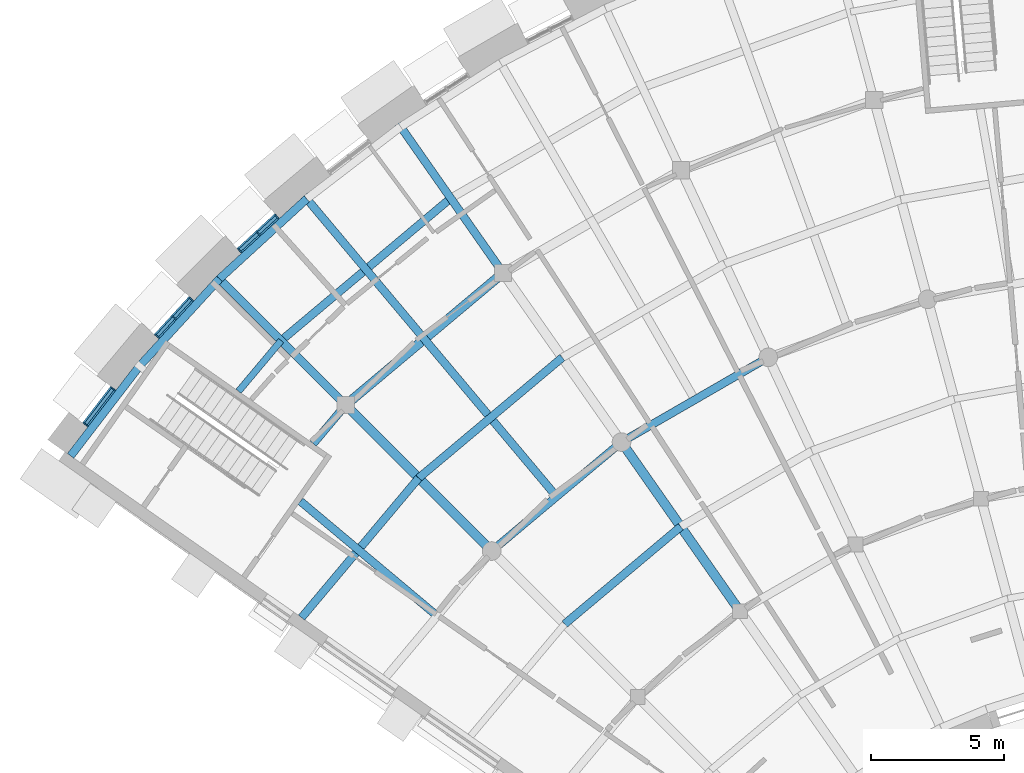
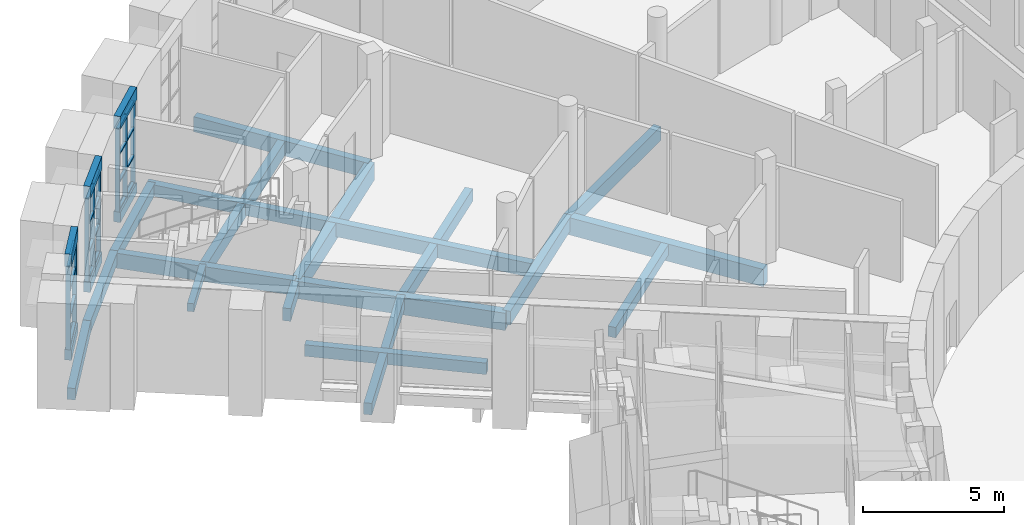
# One storey, part 18 of 66: 28 members, 25 beams, 3 elements without a shape of their own.
"""IFC4 building model written with IfcOpenShell, lengths in metres."""

from ifc_helpers import new_model, si_unit, direction, frame, origin, origin_2d, place, context, subcontext, project, spatial, rectangle, extrude, material, layer, layer_set, material_profile, profile_set, type_object, element, aggregate, save


model = new_model("IFC4")

# Units and contexts
model_context = context("Model", 3, precision=1e-05, world=origin(), true_north=direction((0.0, 1.0)))
body_context = subcontext(model_context, "Body", "Model", "MODEL_VIEW")
ifc_project = project(units=[si_unit("LENGTHUNIT", "METRE"), si_unit("AREAUNIT", "SQUARE_METRE"), si_unit("VOLUMEUNIT", "CUBIC_METRE"), si_unit("PLANEANGLEUNIT", "RADIAN"), si_unit("MASSUNIT", "GRAM", prefix="KILO")], contexts=[model_context])

# Site, building, storey
site_placement = place(None, origin())
site = spatial("IfcSite", under=ifc_project, at=site_placement, CompositionType="ELEMENT")
building_placement = place(site_placement, origin())
building = spatial("IfcBuilding", under=site, at=building_placement, Name="Volute Hill Aquarium", CompositionType="ELEMENT")
storey_placement = place(building_placement, frame((0.0, 0.0, 4.60009765625)))
storey = spatial("IfcBuildingStorey", under=building, at=storey_placement, Name="L02", CompositionType="ELEMENT", Elevation=4.60009765625)

# Beams
ifc_material_1 = material(Name="Concrete C35/45", Category="concrete")
ifc_material_profile_1 = material_profile(ifc_material_1, rectangle(XDim=0.300048828125, YDim=0.550048828125, at=origin_2d()), Name="RC beam 300x550")
ifc_profile_set_1 = profile_set([ifc_material_profile_1], Name="Concrete C35/45")
beam_type_1 = type_object("IfcBeamType", Name="Beam 300x550 C35/45", PredefinedType="BEAM", material=ifc_profile_set_1)
beam_1_placement = place(storey_placement, frame((-31.28955078125, 31.28955078125, -0.59521484375), z_axis=(-0.642771154276, -0.766058250547, 0.0), x_axis=(0.766058250547, -0.642771154276, 0.0)))
element("IfcBeam", 1, at=beam_1_placement, inside=storey, type_object=beam_type_1, Name="bm/S6/L02/ring3.31", PredefinedType="BEAM", context=body_context, shape_type="SweptSolid", body=[
    extrude(rectangle(XDim=0.300048828125, YDim=0.550048828125, at=origin_2d()), origin(), (0.0, 0.0, 1.0), 1.89111328125),
])
ifc_material_2 = material(Name="Concrete C35/45", Category="concrete")
ifc_material_profile_2 = material_profile(ifc_material_2, rectangle(XDim=0.300048828125, YDim=0.60009765625, at=origin_2d()), Name="RC beam 300x600")
ifc_profile_set_2 = profile_set([ifc_material_profile_2], Name="Concrete C35/45")
beam_type_2 = type_object("IfcBeamType", Name="Beam 300x600 C35/45", PredefinedType="BEAM", material=ifc_profile_set_2)
for number, where, z_axis, x_axis, name in (
    (2, (-15.425537109375, 33.080078125, -0.6201171875), (-0.866029029746, -0.499993719597, 0.0), (0.499993719597, -0.866029029746, 0.0), "bm/S6/L02/ring2.24"),
    (3, (-20.935546875, 29.89892578125, -0.6201171875), (-0.766043421596, -0.642788827088, 0.0), (0.642788827088, -0.766043421596, 0.0), "bm/S6/L02/ring2.25"),
):
    element("IfcBeam", number, at=place(storey_placement, frame(where, z_axis=z_axis, x_axis=x_axis)), inside=storey, type_object=beam_type_2, Name=name, PredefinedType="BEAM", context=body_context, shape_type="SweptSolid", body=[
        extrude(rectangle(XDim=0.300048828125, YDim=0.60009765625, at=origin_2d()), origin(), (0.0, 0.0, 1.0), 6.3623046875),
    ])
ifc_material_3 = material(Name="Concrete C35/45", Category="concrete")
ifc_material_profile_3 = material_profile(ifc_material_3, rectangle(XDim=0.300048828125, YDim=0.64990234375, at=origin_2d()), Name="RC beam 300x650")
ifc_profile_set_3 = profile_set([ifc_material_profile_3], Name="Concrete C35/45")
beam_type_3 = type_object("IfcBeamType", Name="Beam 300x650 C35/45", PredefinedType="BEAM", material=ifc_profile_set_3)
beam_2_placement = place(storey_placement, frame((-25.380859375, 36.24755859375, -0.64501953125), z_axis=(-0.573579548978, 0.819149864796, 0.0), x_axis=(-0.819149864796, -0.573579548978, 0.0)))
element("IfcBeam", 4, at=beam_2_placement, inside=storey, type_object=beam_type_3, Name="bm/S6/L02/rad3.12", PredefinedType="BEAM", context=body_context, shape_type="SweptSolid", body=[
    extrude(rectangle(XDim=0.300048828125, YDim=0.64990234375, at=origin_2d()), origin(), (0.0, 0.0, 1.0), 6.849853515625),
])
beam_3_placement = place(storey_placement, frame((-31.28955078125, 31.28955078125, -0.64501953125), z_axis=(-0.707106781187, 0.707106781187, 0.0), x_axis=(-0.707106781187, -0.707106781187, 0.0)))
element("IfcBeam", 5, at=beam_3_placement, inside=storey, type_object=beam_type_3, Name="bm/S6/L02/rad4.16", PredefinedType="BEAM", context=body_context, shape_type="SweptSolid", body=[
    extrude(rectangle(XDim=0.300048828125, YDim=0.64990234375, at=origin_2d()), origin(), (0.0, 0.0, 1.0), 6.85009765625),
])
ifc_material_4 = material(Name="Concrete C35/45", Category="concrete")
ifc_material_profile_4 = material_profile(ifc_material_4, rectangle(XDim=0.35009765625, YDim=0.75, at=origin_2d()), Name="RC beam 350x750")
ifc_profile_set_4 = profile_set([ifc_material_profile_4], Name="Concrete C35/45")
beam_type_4 = type_object("IfcBeamType", Name="Beam 350x750 C35/45", PredefinedType="BEAM", material=ifc_profile_set_4)
beam_4_placement = place(storey_placement, frame((-16.490234375, 23.550537109375, -0.695068359375), z_axis=(-0.573587076888, 0.819144593602, 0.0), x_axis=(-0.819144593602, -0.573587076888, 0.0)))
element("IfcBeam", 6, at=beam_4_placement, inside=storey, type_object=beam_type_4, Name="bm/S6/L02/rad3.10", PredefinedType="BEAM", context=body_context, shape_type="SweptSolid", body=[
    extrude(rectangle(XDim=0.35009765625, YDim=0.75, at=origin_2d()), origin(), (0.0, 0.0, 1.0), 7.75),
])
beam_5_placement = place(storey_placement, frame((-25.809326171875, 25.809326171875, -0.695068359375), z_axis=(-0.707106781187, 0.707106781187, 0.0), x_axis=(-0.707106781187, -0.707106781187, 0.0)))
element("IfcBeam", 7, at=beam_5_placement, inside=storey, type_object=beam_type_4, Name="bm/S6/L02/rad4.15", PredefinedType="BEAM", context=body_context, shape_type="SweptSolid", body=[
    extrude(rectangle(XDim=0.35009765625, YDim=0.75, at=origin_2d()), origin(), (0.0, 0.0, 1.0), 7.750244140625),
])
beam_6_placement = place(storey_placement, frame((-25.380859375, 36.24755859375, -0.695068359375), z_axis=(-0.766042717383, -0.642789666334, 0.0), x_axis=(0.642789666334, -0.766042717383, 0.0)))
element("IfcBeam", 8, at=beam_6_placement, inside=storey, type_object=beam_type_4, Name="bm/S6/L02/ring3.30", PredefinedType="BEAM", context=body_context, shape_type="SweptSolid", body=[
    extrude(rectangle(XDim=0.35009765625, YDim=0.75, at=origin_2d()), origin(), (0.0, 0.0, 1.0), 7.71337890625),
])

# Curtain wall, members
ifc_material_5 = material(Name="Aluminium", Category="aluminium")
ifc_layer_1 = layer(ifc_material_5, 0.25)
ifc_layer_set_1 = layer_set([ifc_layer_1], Name="Curtain wall niche S6 module 967")
curtain_wall_type_1 = type_object("IfcCurtainWallType", Name="Curtain wall niche S6 module 967", PredefinedType="NOTDEFINED", material=ifc_layer_set_1)
curtain_wall_1_placement = place(storey_placement, origin())
curtain_wall_1 = element("IfcCurtainWall", 9, at=curtain_wall_1_placement, inside=storey, type_object=curtain_wall_type_1, Name="Curtain wall CW S6 L02 8", PredefinedType="NOTDEFINED")
ifc_material_6 = material(Name="Aluminium", Category="aluminium")
ifc_material_profile_5 = material_profile(ifc_material_6, rectangle(XDim=0.169921875, YDim=0.050048828125, at=origin_2d()), Name="Curtain wall mullion S6 50x170")
ifc_profile_set_5 = profile_set([ifc_material_profile_5], Name="Aluminium")
member_type_1 = type_object("IfcMemberType", Name="Curtain wall mullion S6 50x170", PredefinedType="MULLION", material=ifc_profile_set_5)
member_1_placement = place(storey_placement, frame((-33.879638671875, 38.3671875, 0.449951171875), z_axis=(0.0, 0.0, 1.0), x_axis=(0.675582007635, -0.737284850624, 0.0)))
member_1 = element("IfcMember", 10, at=member_1_placement, type_object=member_type_1, Name="CW mullion 1", PredefinedType="MULLION", context=body_context, shape_type="SweptSolid", body=[
    extrude(rectangle(XDim=0.169921875, YDim=0.050048828125, at=origin_2d()), origin(), (0.0, 0.0, 1.0), 3.599853515625),
])
member_2_placement = place(storey_placement, frame((-34.573974609375, 37.73095703125, 0.449951171875), z_axis=(0.0, 0.0, 1.0), x_axis=(0.675582007635, -0.737284850624, 0.0)))
member_2 = element("IfcMember", 11, at=member_2_placement, type_object=member_type_1, Name="CW mullion 2", PredefinedType="MULLION", context=body_context, shape_type="SweptSolid", body=[
    extrude(rectangle(XDim=0.169921875, YDim=0.050048828125, at=origin_2d()), origin(), (0.0, 0.0, 1.0), 3.599853515625),
])
member_3_placement = place(storey_placement, frame((-35.268310546875, 37.094482421875, 0.449951171875), z_axis=(0.0, 0.0, 1.0), x_axis=(0.675582007635, -0.737284850624, 0.0)))
member_3 = element("IfcMember", 12, at=member_3_placement, type_object=member_type_1, Name="CW mullion 3", PredefinedType="MULLION", context=body_context, shape_type="SweptSolid", body=[
    extrude(rectangle(XDim=0.169921875, YDim=0.050048828125, at=origin_2d()), origin(), (0.0, 0.0, 1.0), 3.599853515625),
])

curtain_wall_2_placement = place(storey_placement, origin())
curtain_wall_2 = element("IfcCurtainWall", 13, at=curtain_wall_2_placement, inside=storey, type_object=curtain_wall_type_1, Name="Curtain wall CW S6 L02 9", PredefinedType="NOTDEFINED")
member_4_placement = place(storey_placement, frame((-37.094482421875, 35.268310546875, 0.449951171875), z_axis=(0.0, 0.0, 1.0), x_axis=(0.737284850624, -0.675582007635, 0.0)))
member_4 = element("IfcMember", 14, at=member_4_placement, type_object=member_type_1, Name="CW mullion 1", PredefinedType="MULLION", context=body_context, shape_type="SweptSolid", body=[
    extrude(rectangle(XDim=0.169921875, YDim=0.050048828125, at=origin_2d()), origin(), (0.0, 0.0, 1.0), 3.599853515625),
])
member_5_placement = place(storey_placement, frame((-37.73095703125, 34.573974609375, 0.449951171875), z_axis=(0.0, 0.0, 1.0), x_axis=(0.737284850624, -0.675582007635, 0.0)))
member_5 = element("IfcMember", 15, at=member_5_placement, type_object=member_type_1, Name="CW mullion 2", PredefinedType="MULLION", context=body_context, shape_type="SweptSolid", body=[
    extrude(rectangle(XDim=0.169921875, YDim=0.050048828125, at=origin_2d()), origin(), (0.0, 0.0, 1.0), 3.599853515625),
])
member_6_placement = place(storey_placement, frame((-38.3671875, 33.879638671875, 0.449951171875), z_axis=(0.0, 0.0, 1.0), x_axis=(0.737284850624, -0.675582007635, 0.0)))
member_6 = element("IfcMember", 16, at=member_6_placement, type_object=member_type_1, Name="CW mullion 3", PredefinedType="MULLION", context=body_context, shape_type="SweptSolid", body=[
    extrude(rectangle(XDim=0.169921875, YDim=0.050048828125, at=origin_2d()), origin(), (0.0, 0.0, 1.0), 3.599853515625),
])

ifc_material_7 = material(Name="Aluminium", Category="aluminium")
ifc_layer_2 = layer(ifc_material_7, 0.25)
ifc_layer_set_2 = layer_set([ifc_layer_2], Name="Curtain wall niche S6 module 1734")
curtain_wall_type_2 = type_object("IfcCurtainWallType", Name="Curtain wall niche S6 module 1734", PredefinedType="NOTDEFINED", material=ifc_layer_set_2)
curtain_wall_3_placement = place(storey_placement, origin())
curtain_wall_3 = element("IfcCurtainWall", 17, at=curtain_wall_3_placement, inside=storey, type_object=curtain_wall_type_2, Name="Curtain wall CW S6 L02 10", PredefinedType="NOTDEFINED")
member_7_placement = place(storey_placement, frame((-40.02734375, 31.901123046875, 0.449951171875), z_axis=(0.0, 0.0, 1.0), x_axis=(0.79334910739, -0.608766945394, 0.0)))
member_7 = element("IfcMember", 18, at=member_7_placement, type_object=member_type_1, Name="CW mullion 1", PredefinedType="MULLION", context=body_context, shape_type="SweptSolid", body=[
    extrude(rectangle(XDim=0.169921875, YDim=0.050048828125, at=origin_2d()), origin(), (0.0, 0.0, 1.0), 3.599853515625),
])
member_8_placement = place(storey_placement, frame((-41.052001953125, 30.5654296875, 0.449951171875), z_axis=(0.0, 0.0, 1.0), x_axis=(0.79334910739, -0.608766945394, 0.0)))
member_8 = element("IfcMember", 19, at=member_8_placement, type_object=member_type_1, Name="CW mullion 2", PredefinedType="MULLION", context=body_context, shape_type="SweptSolid", body=[
    extrude(rectangle(XDim=0.169921875, YDim=0.050048828125, at=origin_2d()), origin(), (0.0, 0.0, 1.0), 3.599853515625),
])

# Member
ifc_material_8 = material(Name="Aluminium", Category="aluminium")
ifc_material_profile_6 = material_profile(ifc_material_8, rectangle(XDim=0.1201171875, YDim=0.050048828125, at=origin_2d()), Name="Curtain wall transom S6 50x120")
ifc_profile_set_6 = profile_set([ifc_material_profile_6], Name="Aluminium")
member_type_2 = type_object("IfcMemberType", Name="Curtain wall transom S6 50x120", PredefinedType="USERDEFINED", material=ifc_profile_set_6)
member_9_placement = place(storey_placement, frame((-33.89794921875, 38.350341796875, 0.474853515625), z_axis=(-0.737358609817, -0.67550150298, 0.0), x_axis=(0.67550150298, -0.737358609817, 0.0)))
member_9 = element("IfcMember", 20, at=member_9_placement, type_object=member_type_2, Name="CW transom 1.1", ObjectType="TRANSOM", PredefinedType="USERDEFINED", context=body_context, shape_type="SweptSolid", body=[
    extrude(rectangle(XDim=0.1201171875, YDim=0.050048828125, at=origin_2d()), origin(), (0.0, 0.0, 1.0), 0.89208984375),
])

member_10_placement = place(storey_placement, frame((-33.89794921875, 38.350341796875, 1.64990234375), z_axis=(-0.737358609817, -0.67550150298, 0.0), x_axis=(0.67550150298, -0.737358609817, 0.0)))
member_10 = element("IfcMember", 21, at=member_10_placement, type_object=member_type_2, Name="CW transom 1.2", ObjectType="TRANSOM", PredefinedType="USERDEFINED", context=body_context, shape_type="SweptSolid", body=[
    extrude(rectangle(XDim=0.1201171875, YDim=0.050048828125, at=origin_2d()), origin(), (0.0, 0.0, 1.0), 0.89208984375),
])

member_11_placement = place(storey_placement, frame((-33.89794921875, 38.350341796875, 2.849853515625), z_axis=(-0.737358609817, -0.67550150298, 0.0), x_axis=(0.67550150298, -0.737358609817, 0.0)))
member_11 = element("IfcMember", 22, at=member_11_placement, type_object=member_type_2, Name="CW transom 1.3", ObjectType="TRANSOM", PredefinedType="USERDEFINED", context=body_context, shape_type="SweptSolid", body=[
    extrude(rectangle(XDim=0.1201171875, YDim=0.050048828125, at=origin_2d()), origin(), (0.0, 0.0, 1.0), 0.89208984375),
])

member_12_placement = place(storey_placement, frame((-33.89794921875, 38.350341796875, 4.02490234375), z_axis=(-0.737358609817, -0.67550150298, 0.0), x_axis=(0.67550150298, -0.737358609817, 0.0)))
member_12 = element("IfcMember", 23, at=member_12_placement, type_object=member_type_2, Name="CW transom 1.4", ObjectType="TRANSOM", PredefinedType="USERDEFINED", context=body_context, shape_type="SweptSolid", body=[
    extrude(rectangle(XDim=0.1201171875, YDim=0.050048828125, at=origin_2d()), origin(), (0.0, 0.0, 1.0), 0.89208984375),
])

member_13_placement = place(storey_placement, frame((-34.592529296875, 37.714111328125, 0.474853515625), z_axis=(-0.737097330145, -0.675786597894, 0.0), x_axis=(0.675786597894, -0.737097330145, 0.0)))
member_13 = element("IfcMember", 24, at=member_13_placement, type_object=member_type_2, Name="CW transom 2.1", ObjectType="TRANSOM", PredefinedType="USERDEFINED", context=body_context, shape_type="SweptSolid", body=[
    extrude(rectangle(XDim=0.1201171875, YDim=0.050048828125, at=origin_2d()), origin(), (0.0, 0.0, 1.0), 0.89208984375),
])

member_14_placement = place(storey_placement, frame((-34.592529296875, 37.714111328125, 1.64990234375), z_axis=(-0.737097330145, -0.675786597894, 0.0), x_axis=(0.675786597894, -0.737097330145, 0.0)))
member_14 = element("IfcMember", 25, at=member_14_placement, type_object=member_type_2, Name="CW transom 2.2", ObjectType="TRANSOM", PredefinedType="USERDEFINED", context=body_context, shape_type="SweptSolid", body=[
    extrude(rectangle(XDim=0.1201171875, YDim=0.050048828125, at=origin_2d()), origin(), (0.0, 0.0, 1.0), 0.89208984375),
])

member_15_placement = place(storey_placement, frame((-34.592529296875, 37.714111328125, 2.849853515625), z_axis=(-0.737097330145, -0.675786597894, 0.0), x_axis=(0.675786597894, -0.737097330145, 0.0)))
member_15 = element("IfcMember", 26, at=member_15_placement, type_object=member_type_2, Name="CW transom 2.3", ObjectType="TRANSOM", PredefinedType="USERDEFINED", context=body_context, shape_type="SweptSolid", body=[
    extrude(rectangle(XDim=0.1201171875, YDim=0.050048828125, at=origin_2d()), origin(), (0.0, 0.0, 1.0), 0.89208984375),
])

member_16_placement = place(storey_placement, frame((-34.592529296875, 37.714111328125, 4.02490234375), z_axis=(-0.737097330145, -0.675786597894, 0.0), x_axis=(0.675786597894, -0.737097330145, 0.0)))
member_16 = element("IfcMember", 27, at=member_16_placement, type_object=member_type_2, Name="CW transom 2.4", ObjectType="TRANSOM", PredefinedType="USERDEFINED", context=body_context, shape_type="SweptSolid", body=[
    extrude(rectangle(XDim=0.1201171875, YDim=0.050048828125, at=origin_2d()), origin(), (0.0, 0.0, 1.0), 0.89208984375),
])

aggregate(curtain_wall_1, [member_1, member_2, member_3, member_9, member_10, member_11, member_12, member_13, member_14, member_15, member_16])

member_17_placement = place(storey_placement, frame((-37.111328125, 35.25, 0.474853515625), z_axis=(-0.675786597894, -0.737097330145, 0.0), x_axis=(0.737097330145, -0.675786597894, 0.0)))
member_17 = element("IfcMember", 28, at=member_17_placement, type_object=member_type_2, Name="CW transom 1.1", ObjectType="TRANSOM", PredefinedType="USERDEFINED", context=body_context, shape_type="SweptSolid", body=[
    extrude(rectangle(XDim=0.1201171875, YDim=0.050048828125, at=origin_2d()), origin(), (0.0, 0.0, 1.0), 0.89208984375),
])

member_18_placement = place(storey_placement, frame((-37.111328125, 35.25, 1.64990234375), z_axis=(-0.675786597894, -0.737097330145, 0.0), x_axis=(0.737097330145, -0.675786597894, 0.0)))
member_18 = element("IfcMember", 29, at=member_18_placement, type_object=member_type_2, Name="CW transom 1.2", ObjectType="TRANSOM", PredefinedType="USERDEFINED", context=body_context, shape_type="SweptSolid", body=[
    extrude(rectangle(XDim=0.1201171875, YDim=0.050048828125, at=origin_2d()), origin(), (0.0, 0.0, 1.0), 0.89208984375),
])

member_19_placement = place(storey_placement, frame((-37.111328125, 35.25, 2.849853515625), z_axis=(-0.675786597894, -0.737097330145, 0.0), x_axis=(0.737097330145, -0.675786597894, 0.0)))
member_19 = element("IfcMember", 30, at=member_19_placement, type_object=member_type_2, Name="CW transom 1.3", ObjectType="TRANSOM", PredefinedType="USERDEFINED", context=body_context, shape_type="SweptSolid", body=[
    extrude(rectangle(XDim=0.1201171875, YDim=0.050048828125, at=origin_2d()), origin(), (0.0, 0.0, 1.0), 0.89208984375),
])

member_20_placement = place(storey_placement, frame((-37.111328125, 35.25, 4.02490234375), z_axis=(-0.675786597894, -0.737097330145, 0.0), x_axis=(0.737097330145, -0.675786597894, 0.0)))
member_20 = element("IfcMember", 31, at=member_20_placement, type_object=member_type_2, Name="CW transom 1.4", ObjectType="TRANSOM", PredefinedType="USERDEFINED", context=body_context, shape_type="SweptSolid", body=[
    extrude(rectangle(XDim=0.1201171875, YDim=0.050048828125, at=origin_2d()), origin(), (0.0, 0.0, 1.0), 0.89208984375),
])

member_21_placement = place(storey_placement, frame((-37.747802734375, 34.5556640625, 0.474853515625), z_axis=(-0.67550150298, -0.737358609817, 0.0), x_axis=(0.737358609817, -0.67550150298, 0.0)))
member_21 = element("IfcMember", 32, at=member_21_placement, type_object=member_type_2, Name="CW transom 2.1", ObjectType="TRANSOM", PredefinedType="USERDEFINED", context=body_context, shape_type="SweptSolid", body=[
    extrude(rectangle(XDim=0.1201171875, YDim=0.050048828125, at=origin_2d()), origin(), (0.0, 0.0, 1.0), 0.89208984375),
])

member_22_placement = place(storey_placement, frame((-37.747802734375, 34.5556640625, 1.64990234375), z_axis=(-0.67550150298, -0.737358609817, 0.0), x_axis=(0.737358609817, -0.67550150298, 0.0)))
member_22 = element("IfcMember", 33, at=member_22_placement, type_object=member_type_2, Name="CW transom 2.2", ObjectType="TRANSOM", PredefinedType="USERDEFINED", context=body_context, shape_type="SweptSolid", body=[
    extrude(rectangle(XDim=0.1201171875, YDim=0.050048828125, at=origin_2d()), origin(), (0.0, 0.0, 1.0), 0.89208984375),
])

member_23_placement = place(storey_placement, frame((-37.747802734375, 34.5556640625, 2.849853515625), z_axis=(-0.67550150298, -0.737358609817, 0.0), x_axis=(0.737358609817, -0.67550150298, 0.0)))
member_23 = element("IfcMember", 34, at=member_23_placement, type_object=member_type_2, Name="CW transom 2.3", ObjectType="TRANSOM", PredefinedType="USERDEFINED", context=body_context, shape_type="SweptSolid", body=[
    extrude(rectangle(XDim=0.1201171875, YDim=0.050048828125, at=origin_2d()), origin(), (0.0, 0.0, 1.0), 0.89208984375),
])

member_24_placement = place(storey_placement, frame((-37.747802734375, 34.5556640625, 4.02490234375), z_axis=(-0.67550150298, -0.737358609817, 0.0), x_axis=(0.737358609817, -0.67550150298, 0.0)))
member_24 = element("IfcMember", 35, at=member_24_placement, type_object=member_type_2, Name="CW transom 2.4", ObjectType="TRANSOM", PredefinedType="USERDEFINED", context=body_context, shape_type="SweptSolid", body=[
    extrude(rectangle(XDim=0.1201171875, YDim=0.050048828125, at=origin_2d()), origin(), (0.0, 0.0, 1.0), 0.89208984375),
])

aggregate(curtain_wall_2, [member_4, member_5, member_6, member_17, member_18, member_19, member_20, member_21, member_22, member_23, member_24])

member_25_placement = place(storey_placement, frame((-40.04248046875, 31.88134765625, 0.474853515625), z_axis=(-0.608764095787, -0.793351293993, 0.0), x_axis=(0.793351293993, -0.608764095787, 0.0)))
member_25 = element("IfcMember", 36, at=member_25_placement, type_object=member_type_2, Name="CW transom 1.1", ObjectType="TRANSOM", PredefinedType="USERDEFINED", context=body_context, shape_type="SweptSolid", body=[
    extrude(rectangle(XDim=0.1201171875, YDim=0.050048828125, at=origin_2d()), origin(), (0.0, 0.0, 1.0), 1.633544921875),
])

member_26_placement = place(storey_placement, frame((-40.04248046875, 31.88134765625, 1.64990234375), z_axis=(-0.608764095787, -0.793351293993, 0.0), x_axis=(0.793351293993, -0.608764095787, 0.0)))
member_26 = element("IfcMember", 37, at=member_26_placement, type_object=member_type_2, Name="CW transom 1.2", ObjectType="TRANSOM", PredefinedType="USERDEFINED", context=body_context, shape_type="SweptSolid", body=[
    extrude(rectangle(XDim=0.1201171875, YDim=0.050048828125, at=origin_2d()), origin(), (0.0, 0.0, 1.0), 1.633544921875),
])

member_27_placement = place(storey_placement, frame((-40.04248046875, 31.88134765625, 2.849853515625), z_axis=(-0.608764095787, -0.793351293993, 0.0), x_axis=(0.793351293993, -0.608764095787, 0.0)))
member_27 = element("IfcMember", 38, at=member_27_placement, type_object=member_type_2, Name="CW transom 1.3", ObjectType="TRANSOM", PredefinedType="USERDEFINED", context=body_context, shape_type="SweptSolid", body=[
    extrude(rectangle(XDim=0.1201171875, YDim=0.050048828125, at=origin_2d()), origin(), (0.0, 0.0, 1.0), 1.633544921875),
])

member_28_placement = place(storey_placement, frame((-40.04248046875, 31.88134765625, 4.02490234375), z_axis=(-0.608764095787, -0.793351293993, 0.0), x_axis=(0.793351293993, -0.608764095787, 0.0)))
member_28 = element("IfcMember", 39, at=member_28_placement, type_object=member_type_2, Name="CW transom 1.4", ObjectType="TRANSOM", PredefinedType="USERDEFINED", context=body_context, shape_type="SweptSolid", body=[
    extrude(rectangle(XDim=0.1201171875, YDim=0.050048828125, at=origin_2d()), origin(), (0.0, 0.0, 1.0), 1.633544921875),
])

aggregate(curtain_wall_3, [member_7, member_8, member_25, member_26, member_27, member_28])

# Beams
ifc_material_9 = material(Name="Concrete C35/45", Category="concrete")
ifc_material_profile_7 = material_profile(ifc_material_9, rectangle(XDim=0.300048828125, YDim=0.5, at=origin_2d()), Name="RC edge beam 300x500")
ifc_profile_set_7 = profile_set([ifc_material_profile_7], Name="Concrete C35/45")
beam_type_5 = type_object("IfcBeamType", Name="Edge beam 300x500 C35/45", PredefinedType="BEAM", material=ifc_profile_set_7)
for number, where, z_axis, x_axis, name in (
    (40, (-32.75, 39.02978515625, -0.570068359375), (-0.737302325193, -0.675562936568, 0.0), (0.675562936568, -0.737302325193, 0.0), "bm/S6/L02/edgeO.49"),
    (41, (-36.027099609375, 36.027099609375, -0.570068359375), (-0.675562936568, -0.737302325193, 0.0), (0.737302325193, -0.675562936568, 0.0), "bm/S6/L02/edgeO.50"),
):
    element("IfcBeam", number, at=place(storey_placement, frame(where, z_axis=z_axis, x_axis=x_axis)), inside=storey, type_object=beam_type_5, Name=name, PredefinedType="BEAM", context=body_context, shape_type="SweptSolid", body=[
        extrude(rectangle(XDim=0.300048828125, YDim=0.5, at=origin_2d()), origin(), (0.0, 0.0, 1.0), 4.44482421875),
    ])
beam_7_placement = place(storey_placement, frame((-39.02978515625, 32.75, -0.570068359375), z_axis=(-0.60877080013, -0.793346149489, 0.0), x_axis=(0.793346149489, -0.60877080013, 0.0)))
element("IfcBeam", 42, at=beam_7_placement, inside=storey, type_object=beam_type_5, Name="bm/S6/L02/edgeO.51", PredefinedType="BEAM", context=body_context, shape_type="SweptSolid", body=[
    extrude(rectangle(XDim=0.300048828125, YDim=0.5, at=origin_2d()), origin(), (0.0, 0.0, 1.0), 4.24462890625),
])
ifc_material_10 = material(Name="Concrete C35/45", Category="concrete")
ifc_material_profile_8 = material_profile(ifc_material_10, rectangle(XDim=0.25, YDim=0.35009765625, at=origin_2d()), Name="RC joist 250x350")
ifc_profile_set_8 = profile_set([ifc_material_profile_8], Name="Concrete C35/45")
beam_type_6 = type_object("IfcBeamType", Name="Joist 250x350 C35/45", PredefinedType="BEAM", material=ifc_profile_set_8)
beam_8_placement = place(storey_placement, frame((-33.711181640625, 33.711181640625, -0.4951171875), z_axis=(-0.642902089518, -0.765948368556, 0.0), x_axis=(0.765948368556, -0.642902089518, 0.0)))
element("IfcBeam", 43, at=beam_8_placement, inside=storey, type_object=beam_type_6, Name="bm/S6/L02/jst20", PredefinedType="BEAM", context=body_context, shape_type="SweptSolid", body=[
    extrude(rectangle(XDim=0.25, YDim=0.35009765625, at=origin_2d()), origin(), (0.0, 0.0, 1.0), 2.488037109375),
])
ifc_material_11 = material(Name="Concrete C35/45", Category="concrete")
ifc_material_profile_9 = material_profile(ifc_material_11, rectangle(XDim=0.300048828125, YDim=0.449951171875, at=origin_2d()), Name="RC joist 300x450")
ifc_profile_set_9 = profile_set([ifc_material_profile_9], Name="Concrete C35/45")
beam_type_7 = type_object("IfcBeamType", Name="Joist 300x450 C35/45", PredefinedType="BEAM", material=ifc_profile_set_9)
beam_9_placement = place(storey_placement, frame((-18.712890625, 26.724853515625, -0.545166015625), z_axis=(-0.766042198561, -0.642790284637, 0.0), x_axis=(0.642790284637, -0.766042198561, 0.0)))
element("IfcBeam", 44, at=beam_9_placement, inside=storey, type_object=beam_type_7, Name="bm/S6/L02/jst9", PredefinedType="BEAM", context=body_context, shape_type="SweptSolid", body=[
    extrude(rectangle(XDim=0.300048828125, YDim=0.449951171875, at=origin_2d()), origin(), (0.0, 0.0, 1.0), 5.68701171875),
])
ifc_material_12 = material(Name="Concrete C35/45", Category="concrete")
ifc_material_profile_10 = material_profile(ifc_material_12, rectangle(XDim=0.300048828125, YDim=0.5, at=origin_2d()), Name="RC joist 300x500")
ifc_profile_set_10 = profile_set([ifc_material_profile_10], Name="Concrete C35/45")
beam_type_8 = type_object("IfcBeamType", Name="Joist 300x500 C35/45", PredefinedType="BEAM", material=ifc_profile_set_10)
beam_10_placement = place(storey_placement, frame((-28.54931640625, 28.54931640625, -0.570068359375), z_axis=(-0.642800909983, -0.766033282648, 0.0), x_axis=(0.766033282648, -0.642800909983, 0.0)))
element("IfcBeam", 45, at=beam_10_placement, inside=storey, type_object=beam_type_8, Name="bm/S6/L02/jst15", PredefinedType="BEAM", context=body_context, shape_type="SweptSolid", body=[
    extrude(rectangle(XDim=0.300048828125, YDim=0.5, at=origin_2d()), origin(), (0.0, 0.0, 1.0), 6.8369140625),
])
beam_11_placement = place(storey_placement, frame((-27.960693359375, 23.461669921875, -0.570068359375), z_axis=(-0.766030833177, 0.642803829035, 0.0), x_axis=(-0.642803829035, -0.766030833177, 0.0)))
element("IfcBeam", 46, at=beam_11_placement, inside=storey, type_object=beam_type_8, Name="bm/S6/L02/rjst5", PredefinedType="BEAM", context=body_context, shape_type="SweptSolid", body=[
    extrude(rectangle(XDim=0.300048828125, YDim=0.5, at=origin_2d()), origin(), (0.0, 0.0, 1.0), 6.563720703125),
])
beam_12_placement = place(storey_placement, frame((-28.443359375, 33.8974609375, -0.570068359375), z_axis=(-0.64277490452, 0.76605510384, 0.0), x_axis=(-0.76605510384, -0.64277490452, 0.0)))
element("IfcBeam", 47, at=beam_12_placement, inside=storey, type_object=beam_type_8, Name="bm/S6/L02/rjst9", PredefinedType="BEAM", context=body_context, shape_type="SweptSolid", body=[
    extrude(rectangle(XDim=0.300048828125, YDim=0.5, at=origin_2d()), origin(), (0.0, 0.0, 1.0), 6.85009765625),
])
ifc_material_13 = material(Name="Concrete C35/45", Category="concrete")
ifc_material_profile_11 = material_profile(ifc_material_13, rectangle(XDim=0.300048828125, YDim=0.550048828125, at=origin_2d()), Name="RC joist 300x550")
ifc_profile_set_11 = profile_set([ifc_material_profile_11], Name="Concrete C35/45")
beam_type_9 = type_object("IfcBeamType", Name="Joist 300x550 C35/45", PredefinedType="BEAM", material=ifc_profile_set_11)
beam_13_placement = place(storey_placement, frame((-23.158203125, 33.0732421875, -0.59521484375), z_axis=(-0.766027328083, -0.64280800604, 0.0), x_axis=(0.64280800604, -0.766027328083, 0.0)))
element("IfcBeam", 48, at=beam_13_placement, inside=storey, type_object=beam_type_9, Name="bm/S6/L02/jst14", PredefinedType="BEAM", context=body_context, shape_type="SweptSolid", body=[
    extrude(rectangle(XDim=0.300048828125, YDim=0.550048828125, at=origin_2d()), origin(), (0.0, 0.0, 1.0), 7.037841796875),
])
ifc_material_14 = material(Name="Concrete C35/45", Category="concrete")
ifc_material_profile_12 = material_profile(ifc_material_14, rectangle(XDim=0.300048828125, YDim=0.60009765625, at=origin_2d()), Name="RC joist 300x600")
ifc_profile_set_12 = profile_set([ifc_material_profile_12], Name="Concrete C35/45")
beam_type_10 = type_object("IfcBeamType", Name="Joist 300x600 C35/45", PredefinedType="BEAM", material=ifc_profile_set_12)
beam_14_placement = place(storey_placement, frame((-27.34521484375, 39.052978515625, -0.6201171875), z_axis=(-0.76603754112, -0.642795835079, 0.0), x_axis=(0.642795835079, -0.76603754112, 0.0)))
element("IfcBeam", 49, at=beam_14_placement, inside=storey, type_object=beam_type_10, Name="bm/S6/L02/jst19", PredefinedType="BEAM", context=body_context, shape_type="SweptSolid", body=[
    extrude(rectangle(XDim=0.300048828125, YDim=0.60009765625, at=origin_2d()), origin(), (0.0, 0.0, 1.0), 8.310302734375),
])
beam_15_placement = place(storey_placement, frame((-23.461669921875, 27.960693359375, -0.6201171875), z_axis=(-0.642798965079, 0.76603491467, 0.0), x_axis=(-0.76603491467, -0.642798965079, 0.0)))
element("IfcBeam", 50, at=beam_15_placement, inside=storey, type_object=beam_type_10, Name="bm/S6/L02/rjst4", PredefinedType="BEAM", context=body_context, shape_type="SweptSolid", body=[
    extrude(rectangle(XDim=0.300048828125, YDim=0.60009765625, at=origin_2d()), origin(), (0.0, 0.0, 1.0), 7.75),
])
ifc_material_15 = material(Name="Concrete C35/45", Category="concrete")
ifc_material_profile_13 = material_profile(ifc_material_15, rectangle(XDim=0.25, YDim=0.550048828125, at=origin_2d()), Name="RC beam 250x550")
ifc_profile_set_13 = profile_set([ifc_material_profile_13], Name="Concrete C35/45")
beam_type_11 = type_object("IfcBeamType", Name="Niche head beam RC 250x550 C35/45", PredefinedType="BEAM", material=ifc_profile_set_13)
for number, where, z_axis, x_axis, name in (
    (51, (-33.861083984375, 38.384033203125, 4.324951171875), (-0.73730085884, -0.675564536927, 0.0), (0.675564536927, -0.73730085884, 0.0), "Niche head beam OWB S6 L02 8"),
    (52, (-37.07763671875, 35.286865234375, 4.324951171875), (-0.675564536927, -0.73730085884, 0.0), (0.73730085884, -0.675564536927, 0.0), "Niche head beam OWB S6 L02 9"),
):
    element("IfcBeam", number, at=place(storey_placement, frame(where, z_axis=z_axis, x_axis=x_axis)), inside=storey, type_object=beam_type_11, Name=name, PredefinedType="BEAM", context=body_context, shape_type="SweptSolid", body=[
        extrude(rectangle(XDim=0.25, YDim=0.550048828125, at=origin_2d()), origin(), (0.0, 0.0, 1.0), 1.933837890625),
    ])
beam_16_placement = place(storey_placement, frame((-40.011962890625, 31.9208984375, 4.324951171875), z_axis=(-0.608818785139, -0.79330932609, 0.0), x_axis=(0.79330932609, -0.608818785139, 0.0)))
element("IfcBeam", 53, at=beam_16_placement, inside=storey, type_object=beam_type_11, Name="Niche head beam OWB S6 L02 10", PredefinedType="BEAM", context=body_context, shape_type="SweptSolid", body=[
    extrude(rectangle(XDim=0.25, YDim=0.550048828125, at=origin_2d()), origin(), (0.0, 0.0, 1.0), 1.733642578125),
])
ifc_material_16 = material(Name="Concrete C35/45", Category="concrete")
ifc_material_profile_14 = material_profile(ifc_material_16, rectangle(XDim=0.25, YDim=0.449951171875, at=origin_2d()), Name="RC beam 250x450")
ifc_profile_set_14 = profile_set([ifc_material_profile_14], Name="Concrete C35/45")
beam_type_12 = type_object("IfcBeamType", Name="Niche sill beam RC 250x450 C35/45", PredefinedType="BEAM", material=ifc_profile_set_14)
for number, where, z_axis, x_axis, name in (
    (54, (-33.861083984375, 38.384033203125, 0.224853515625), (-0.73730085884, -0.675564536927, 0.0), (0.675564536927, -0.73730085884, 0.0), "Niche sill beam OWB S6 L02 8"),
    (55, (-37.07763671875, 35.286865234375, 0.224853515625), (-0.675564536927, -0.73730085884, 0.0), (0.73730085884, -0.675564536927, 0.0), "Niche sill beam OWB S6 L02 9"),
):
    element("IfcBeam", number, at=place(storey_placement, frame(where, z_axis=z_axis, x_axis=x_axis)), inside=storey, type_object=beam_type_12, Name=name, PredefinedType="BEAM", context=body_context, shape_type="SweptSolid", body=[
        extrude(rectangle(XDim=0.25, YDim=0.449951171875, at=origin_2d()), origin(), (0.0, 0.0, 1.0), 1.933837890625),
    ])
beam_17_placement = place(storey_placement, frame((-40.011962890625, 31.9208984375, 0.224853515625), z_axis=(-0.608818785139, -0.79330932609, 0.0), x_axis=(0.79330932609, -0.608818785139, 0.0)))
element("IfcBeam", 56, at=beam_17_placement, inside=storey, type_object=beam_type_12, Name="Niche sill beam OWB S6 L02 10", PredefinedType="BEAM", context=body_context, shape_type="SweptSolid", body=[
    extrude(rectangle(XDim=0.25, YDim=0.449951171875, at=origin_2d()), origin(), (0.0, 0.0, 1.0), 1.733642578125),
])

save(model, "model.ifc")
